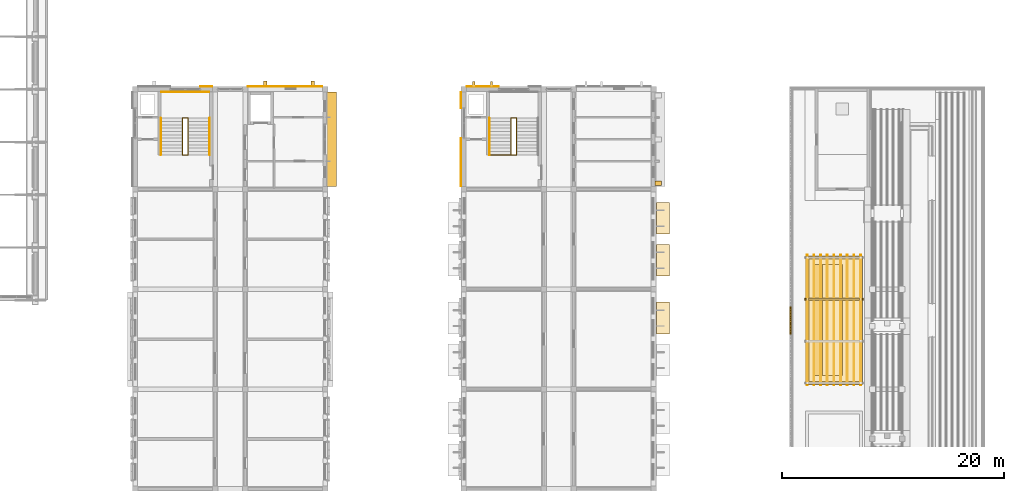
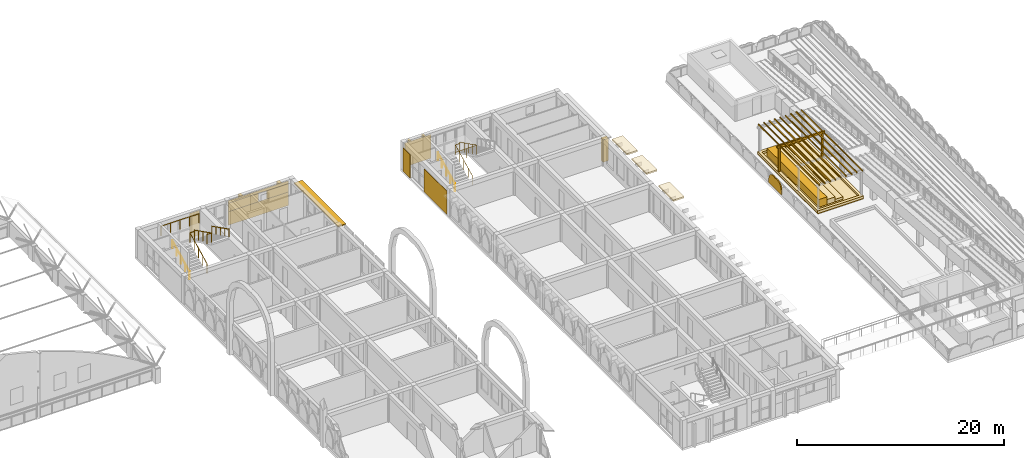
# One storey, part 60 of 65: 34 coverings, 6 railings, 2 shading devices.
"""IFC4 building model written with IfcOpenShell, lengths in metres."""

from ifc_helpers import new_model, si_unit, direction, frame, origin, origin_2d, place, context, subcontext, project, spatial, polyline, rectangle, circle, outline, extrude, material, layer, layer_set, type_object, element, save


model = new_model("IFC4")

# Units and contexts
model_context = context("Model", 3, precision=1e-05, world=origin(), true_north=direction((0.0, 1.0)))
body_context = subcontext(model_context, "Body", "Model", "MODEL_VIEW")
ifc_project = project(units=[si_unit("LENGTHUNIT", "METRE"), si_unit("AREAUNIT", "SQUARE_METRE"), si_unit("VOLUMEUNIT", "CUBIC_METRE"), si_unit("PLANEANGLEUNIT", "RADIAN"), si_unit("MASSUNIT", "GRAM", prefix="KILO")], contexts=[model_context])

# Site, building, storey
site_placement = place(None, origin())
site = spatial("IfcSite", under=ifc_project, at=site_placement, CompositionType="ELEMENT")
building_placement = place(site_placement, origin())
building = spatial("IfcBuilding", under=site, at=building_placement, Name="Elbe Cascade School", CompositionType="ELEMENT")
storey_placement = place(building_placement, frame((0.0, 0.0, 11.699951171875)))
storey = spatial("IfcBuildingStorey", under=building, at=storey_placement, Name="L03", CompositionType="ELEMENT", Elevation=11.699951171875)

# Railings
ifc_material_1 = material(Name="Steel S355J2H, painted", Category="steel")
railing_type_1 = type_object("IfcRailingType", Name="Bar stair guard 1100", PredefinedType="GUARDRAIL", material=ifc_material_1)
railing_1_placement = place(storey_placement, frame((73.25, 54.10009765625, 0.150146484375)))
element("IfcRailing", 1, at=railing_1_placement, inside=storey, type_object=railing_type_1, Name="Stair guard A3.N", PredefinedType="GUARDRAIL", context=body_context, shape_type="SweptSolid", body=[
    extrude(circle(Radius=0.02392578125, at=origin_2d()), frame((0.0, 0.0, 1.09619140625), z_axis=(0.0, 0.894427191, 0.4472135955), x_axis=(-1.0, 0.0, 0.0)), (0.0, 0.0, 1.0), 3.689208984375),
    extrude(circle(Radius=0.02392578125, at=origin_2d()), frame((0.0, 3.2998046875, 2.74609375), z_axis=(1.0, 0.0, 0.0), x_axis=(0.0, 1.0, 0.0)), (0.0, 0.0, 1.0), 0.5),
    extrude(circle(Radius=0.02392578125, at=origin_2d()), frame((0.5, 3.2998046875, 2.74609375), z_axis=(0.0, 0.0, 1.0), x_axis=(1.0, 0.0, 0.0)), (0.0, 0.0, 1.0), 0.14990234375),
    extrude(circle(Radius=0.02392578125, at=origin_2d()), frame((0.5, 3.2998046875, 2.89599609375), z_axis=(0.0, -0.894400720042, 0.447266533499), x_axis=(1.0, 0.0, 0.0)), (0.0, 0.0, 1.0), 3.689453125),
    extrude(circle(Radius=0.02392578125, at=origin_2d()), frame((0.5, 0.0, 4.5458984375), z_axis=(-1.0, 0.0, 0.0), x_axis=(0.0, -1.0, 0.0)), (0.0, 0.0, 1.0), 0.5),
    extrude(circle(Radius=0.02099609375, at=origin_2d()), origin(), (0.0, 0.0, 1.0), 1.072021484375),
    extrude(circle(Radius=0.02099609375, at=origin_2d()), frame((0.0, 0.824951171875, 0.41259765625)), (0.0, 0.0, 1.0), 1.072021484375),
    extrude(circle(Radius=0.02099609375, at=origin_2d()), frame((0.0, 1.64990234375, 0.824951171875)), (0.0, 0.0, 1.0), 1.072021484375),
    extrude(circle(Radius=0.02099609375, at=origin_2d()), frame((0.0, 2.474853515625, 1.2373046875)), (0.0, 0.0, 1.0), 1.072021484375),
    extrude(circle(Radius=0.02099609375, at=origin_2d()), frame((0.0, 3.2998046875, 1.64990234375)), (0.0, 0.0, 1.0), 1.072021484375),
    extrude(circle(Radius=0.02099609375, at=origin_2d()), frame((0.5, 3.2998046875, 1.64990234375)), (0.0, 0.0, 1.0), 1.072021484375),
    extrude(circle(Radius=0.02099609375, at=origin_2d()), frame((0.5, 3.2998046875, 1.7998046875)), (0.0, 0.0, 1.0), 1.072021484375),
    extrude(circle(Radius=0.02099609375, at=origin_2d()), frame((0.5, 2.474853515625, 2.21240234375)), (0.0, 0.0, 1.0), 1.072021484375),
    extrude(circle(Radius=0.02099609375, at=origin_2d()), frame((0.5, 1.64990234375, 2.625)), (0.0, 0.0, 1.0), 1.072021484375),
    extrude(circle(Radius=0.02099609375, at=origin_2d()), frame((0.5, 0.824951171875, 3.037353515625)), (0.0, 0.0, 1.0), 1.072021484375),
    extrude(circle(Radius=0.02099609375, at=origin_2d()), frame((0.5, 0.0, 3.449951171875)), (0.0, 0.0, 1.0), 1.072021484375),
    extrude(circle(Radius=0.02099609375, at=origin_2d()), frame((0.0, 0.0, 3.449951171875)), (0.0, 0.0, 1.0), 1.072021484375),
])
railing_2_placement = place(storey_placement, frame((71.360107421875, 59.760009765625, 1.800048828125)))
element("IfcRailing", 2, at=railing_2_placement, inside=storey, type_object=railing_type_1, Name="Stair guard A3.N", PredefinedType="GUARDRAIL", context=body_context, shape_type="SweptSolid", body=[
    extrude(circle(Radius=0.02392578125, at=origin_2d()), frame((0.0, 0.0, 1.09619140625), z_axis=(1.0, 0.0, 0.0), x_axis=(0.0, 1.0, 0.0)), (0.0, 0.0, 1.0), 4.27978515625),
    extrude(circle(Radius=0.02099609375, at=origin_2d()), origin(), (0.0, 0.0, 1.0), 1.072021484375),
    extrude(circle(Radius=0.02099609375, at=origin_2d()), frame((1.06982421875, 0.0, 0.0)), (0.0, 0.0, 1.0), 1.072021484375),
    extrude(circle(Radius=0.02099609375, at=origin_2d()), frame((2.139892578125, 0.0, 0.0)), (0.0, 0.0, 1.0), 1.072021484375),
    extrude(circle(Radius=0.02099609375, at=origin_2d()), frame((3.2099609375, 0.0, 0.0)), (0.0, 0.0, 1.0), 1.072021484375),
    extrude(circle(Radius=0.02099609375, at=origin_2d()), frame((4.27978515625, 0.0, 0.0)), (0.0, 0.0, 1.0), 1.072021484375),
])
railing_3_placement = place(storey_placement, frame((102.85009765625, 54.10009765625, 0.150146484375)))
element("IfcRailing", 3, at=railing_3_placement, inside=storey, type_object=railing_type_1, Name="Stair guard B3.N", PredefinedType="GUARDRAIL", context=body_context, shape_type="SweptSolid", body=[
    extrude(circle(Radius=0.02392578125, at=origin_2d()), frame((0.0, 0.0, 1.09619140625), z_axis=(0.0, 0.894427191, 0.4472135955), x_axis=(-1.0, 0.0, 0.0)), (0.0, 0.0, 1.0), 3.689208984375),
    extrude(circle(Radius=0.02392578125, at=origin_2d()), frame((0.0, 3.2998046875, 2.74609375), z_axis=(1.0, 0.0, 0.0), x_axis=(0.0, 1.0, 0.0)), (0.0, 0.0, 1.0), 0.5),
    extrude(circle(Radius=0.02392578125, at=origin_2d()), frame((0.5, 3.2998046875, 2.74609375), z_axis=(0.0, 0.0, 1.0), x_axis=(1.0, 0.0, 0.0)), (0.0, 0.0, 1.0), 0.14990234375),
    extrude(circle(Radius=0.02392578125, at=origin_2d()), frame((0.5, 3.2998046875, 2.89599609375), z_axis=(0.0, -0.894400720042, 0.447266533499), x_axis=(1.0, 0.0, 0.0)), (0.0, 0.0, 1.0), 3.689453125),
    extrude(circle(Radius=0.02392578125, at=origin_2d()), frame((0.5, 0.0, 4.5458984375), z_axis=(-1.0, 0.0, 0.0), x_axis=(0.0, -1.0, 0.0)), (0.0, 0.0, 1.0), 2.39013671875),
    extrude(circle(Radius=0.02099609375, at=origin_2d()), origin(), (0.0, 0.0, 1.0), 1.072021484375),
    extrude(circle(Radius=0.02099609375, at=origin_2d()), frame((0.0, 0.824951171875, 0.41259765625)), (0.0, 0.0, 1.0), 1.072021484375),
    extrude(circle(Radius=0.02099609375, at=origin_2d()), frame((0.0, 1.64990234375, 0.824951171875)), (0.0, 0.0, 1.0), 1.072021484375),
    extrude(circle(Radius=0.02099609375, at=origin_2d()), frame((0.0, 2.474853515625, 1.2373046875)), (0.0, 0.0, 1.0), 1.072021484375),
    extrude(circle(Radius=0.02099609375, at=origin_2d()), frame((0.0, 3.2998046875, 1.64990234375)), (0.0, 0.0, 1.0), 1.072021484375),
    extrude(circle(Radius=0.02099609375, at=origin_2d()), frame((0.5, 3.2998046875, 1.64990234375)), (0.0, 0.0, 1.0), 1.072021484375),
    extrude(circle(Radius=0.02099609375, at=origin_2d()), frame((0.5, 3.2998046875, 1.7998046875)), (0.0, 0.0, 1.0), 1.072021484375),
    extrude(circle(Radius=0.02099609375, at=origin_2d()), frame((0.5, 2.474853515625, 2.21240234375)), (0.0, 0.0, 1.0), 1.072021484375),
    extrude(circle(Radius=0.02099609375, at=origin_2d()), frame((0.5, 1.64990234375, 2.625)), (0.0, 0.0, 1.0), 1.072021484375),
    extrude(circle(Radius=0.02099609375, at=origin_2d()), frame((0.5, 0.824951171875, 3.037353515625)), (0.0, 0.0, 1.0), 1.072021484375),
    extrude(circle(Radius=0.02099609375, at=origin_2d()), frame((0.5, 0.0, 3.449951171875)), (0.0, 0.0, 1.0), 1.072021484375),
    extrude(circle(Radius=0.02099609375, at=origin_2d()), frame((-0.695068359375, 0.0, 3.449951171875)), (0.0, 0.0, 1.0), 1.072021484375),
    extrude(circle(Radius=0.02099609375, at=origin_2d()), frame((-1.89013671875, 0.0, 3.449951171875)), (0.0, 0.0, 1.0), 1.072021484375),
])
ifc_material_2 = material(Name="Steel S355J2H, painted", Category="steel")
railing_type_2 = type_object("IfcRailingType", Name="Bar stair handrail 900", PredefinedType="HANDRAIL", material=ifc_material_2)
railing_4_placement = place(storey_placement, frame((71.300048828125, 54.10009765625, 0.150146484375)))
element("IfcRailing", 4, at=railing_4_placement, inside=storey, type_object=railing_type_2, Name="Stair handrail A3.N", PredefinedType="HANDRAIL", context=body_context, shape_type="SweptSolid", body=[
    extrude(circle(Radius=0.02392578125, at=origin_2d()), frame((0.0, 0.0, 0.8759765625), z_axis=(0.0, 0.894427191, 0.4472135955), x_axis=(-1.0, 0.0, 0.0)), (0.0, 0.0, 1.0), 3.689208984375),
    extrude(circle(Radius=0.02099609375, at=origin_2d()), origin(), (0.0, 0.0, 1.0), 0.851806640625),
    extrude(circle(Radius=0.02099609375, at=origin_2d()), frame((0.0, 0.824951171875, 0.41259765625)), (0.0, 0.0, 1.0), 0.851806640625),
    extrude(circle(Radius=0.02099609375, at=origin_2d()), frame((0.0, 1.64990234375, 0.824951171875)), (0.0, 0.0, 1.0), 0.851806640625),
    extrude(circle(Radius=0.02099609375, at=origin_2d()), frame((0.0, 2.474853515625, 1.2373046875)), (0.0, 0.0, 1.0), 0.851806640625),
    extrude(circle(Radius=0.02099609375, at=origin_2d()), frame((0.0, 3.2998046875, 1.64990234375)), (0.0, 0.0, 1.0), 0.851806640625),
])
railing_5_placement = place(storey_placement, frame((75.699951171875, 57.39990234375, 1.949951171875)))
element("IfcRailing", 5, at=railing_5_placement, inside=storey, type_object=railing_type_2, Name="Stair handrail A3.N", PredefinedType="HANDRAIL", context=body_context, shape_type="SweptSolid", body=[
    extrude(circle(Radius=0.02392578125, at=origin_2d()), frame((0.0, 0.0, 0.8759765625), z_axis=(0.0, -0.894400720042, 0.447266533499), x_axis=(1.0, 0.0, 0.0)), (0.0, 0.0, 1.0), 3.689453125),
    extrude(circle(Radius=0.02099609375, at=origin_2d()), origin(), (0.0, 0.0, 1.0), 0.851806640625),
    extrude(circle(Radius=0.02099609375, at=origin_2d()), frame((0.0, -0.824951171875, 0.41259765625)), (0.0, 0.0, 1.0), 0.851806640625),
    extrude(circle(Radius=0.02099609375, at=origin_2d()), frame((0.0, -1.64990234375, 0.8251953125)), (0.0, 0.0, 1.0), 0.851806640625),
    extrude(circle(Radius=0.02099609375, at=origin_2d()), frame((0.0, -2.474853515625, 1.237548828125)), (0.0, 0.0, 1.0), 0.851806640625),
    extrude(circle(Radius=0.02099609375, at=origin_2d()), frame((0.0, -3.2998046875, 1.650146484375)), (0.0, 0.0, 1.0), 0.851806640625),
])
railing_6_placement = place(storey_placement, frame((100.89990234375, 54.10009765625, 0.150146484375)))
element("IfcRailing", 6, at=railing_6_placement, inside=storey, type_object=railing_type_2, Name="Stair handrail B3.N", PredefinedType="HANDRAIL", context=body_context, shape_type="SweptSolid", body=[
    extrude(circle(Radius=0.02392578125, at=origin_2d()), frame((0.0, 0.0, 0.8759765625), z_axis=(0.0, 0.894427191, 0.4472135955), x_axis=(-1.0, 0.0, 0.0)), (0.0, 0.0, 1.0), 3.689208984375),
    extrude(circle(Radius=0.02099609375, at=origin_2d()), origin(), (0.0, 0.0, 1.0), 0.851806640625),
    extrude(circle(Radius=0.02099609375, at=origin_2d()), frame((0.0, 0.824951171875, 0.41259765625)), (0.0, 0.0, 1.0), 0.851806640625),
    extrude(circle(Radius=0.02099609375, at=origin_2d()), frame((0.0, 1.64990234375, 0.824951171875)), (0.0, 0.0, 1.0), 0.851806640625),
    extrude(circle(Radius=0.02099609375, at=origin_2d()), frame((0.0, 2.474853515625, 1.2373046875)), (0.0, 0.0, 1.0), 0.851806640625),
    extrude(circle(Radius=0.02099609375, at=origin_2d()), frame((0.0, 3.2998046875, 1.64990234375)), (0.0, 0.0, 1.0), 0.851806640625),
])

# Shading devices
ifc_material_3 = material(Name="Precast concrete C40/50", Category="concrete")
ifc_layer_1 = layer(ifc_material_3, 0.1201171875)
ifc_layer_set_1 = layer_set([ifc_layer_1], Name="Precast concrete C40/50")
shading_device_type_1 = type_object("IfcShadingDeviceType", Name="Bars envelope Attic jali screen, pointed arch top, pierced precast concrete, 1200 high", PredefinedType="USERDEFINED", material=ifc_layer_set_1)
shading_device_1_placement = place(storey_placement, frame((127.97998046875, 37.95458984375, 0.400146484375), z_axis=(-1.0, 0.0, 0.0), x_axis=(0.0, 0.296914729778, 0.954903996871)))
element("IfcShadingDevice", 7, at=shading_device_1_placement, inside=storey, type_object=shading_device_type_1, Name="Attic jali screen SD1 C.L03.w14", ObjectType="JALI", PredefinedType="USERDEFINED", context=body_context, shape_type="SweptSolid", body=[
    extrude(outline(polyline([(0.0, 0.0), (0.5213118135497831, 2.7755575615628914e-17), (0.7306945382777837, 0.09699021202207464), (0.8771319311807609, 0.21355243992304318), (0.9847089596433677, 0.3424534529484574), (1.0619064875388193, 0.48054489831620933), (1.1125270975525943, 0.6269000837217165), (1.1363376588260814, 0.7815914981126785), (1.1314731244903915, 0.9451990530706923), (1.2282536445091836, 1.0772014268316772), (1.2963590689187985, 1.218119941159714), (1.337726933535825, 1.3676078153318163), (1.3524453913234755, 1.5251262986830632), (1.3368568374916705, 1.692068345235259), (1.2824079192194948, 1.8713491769119002), (1.1649411801745964, 2.069968893608824), (0.7355453523079154, 2.365578822327823), (0.3534438750441624, 2.4843882076074792), (-0.382101477263753, 0.11880938527965638), (0.0, 0.0)])), origin(), (0.0, 0.0, -1.0), 0.1201171875),
])
ifc_material_4 = material(Name="Precast concrete C30/37", Category="concrete")
ifc_layer_2 = layer(ifc_material_4, 0.1201171875)
ifc_layer_set_2 = layer_set([ifc_layer_2], Name="Precast concrete C30/37")
shading_device_type_2 = type_object("IfcShadingDeviceType", Name="Bars envelope Chhajja eave, precast concrete, 900 x 120", PredefinedType="USERDEFINED", material=ifc_layer_set_2)
shading_device_2_placement = place(storey_placement, frame((86.669921875, 55.5, 2.72998046875), z_axis=(0.0, 0.0, 1.0), x_axis=(0.0, 1.0, 0.0)))
element("IfcShadingDevice", 8, at=shading_device_2_placement, inside=storey, type_object=shading_device_type_2, Name="Chhajja eave SD2 A.L03.e6", ObjectType="CHHAJJA", PredefinedType="USERDEFINED", context=body_context, shape_type="SweptSolid", body=[
    extrude(rectangle(XDim=8.5, YDim=0.89990234375, at=origin_2d()), origin(), (0.0, 0.0, 1.0), 0.1201171875),
])

# Coverings
ifc_material_5 = material(Name="Precast concrete C40/50", Category="concrete")
covering_type_1 = type_object("IfcCoveringType", Name="Bars envelope Precast concrete fin, 450 wide, 600 deep", PredefinedType="CLADDING", material=ifc_material_5)
covering_1_placement = place(storey_placement, frame((116.1201171875, 51.5400390625, 0.0), z_axis=(0.0, 0.0, 1.0), x_axis=(0.0, 1.0, 0.0)))
element("IfcCovering", 9, at=covering_1_placement, inside=storey, type_object=covering_type_1, Name="Fin CV55 B.L03.e6.1", PredefinedType="CLADDING", context=body_context, shape_type="SweptSolid", body=[
    extrude(rectangle(XDim=0.449951171875, YDim=0.60009765625, at=origin_2d()), origin(), (0.0, 0.0, 1.0), 2.6298828125),
])
ifc_material_6 = material(Name="Precast concrete C40/50", Category="concrete")
covering_type_2 = type_object("IfcCoveringType", Name="Bars envelope Precast concrete gable fin, 200 wide, 450 deep", PredefinedType="CLADDING", material=ifc_material_6)
for number, where, z_axis, x_axis, name in (
    (10, (99.5, 60.485107421875, 0.0), (0.0, 0.0, 1.0), (1.0, 0.0, 0.0), "Fin CV57 B.L03.n.1"),
    (11, (101.10009765625, 60.485107421875, 0.0), (0.0, 0.0, 1.0), (1.0, 0.0, 0.0), "Fin CV57 B.L03.n.2"),
):
    element("IfcCovering", number, at=place(storey_placement, frame(where, z_axis=z_axis, x_axis=x_axis)), inside=storey, type_object=covering_type_2, Name=name, PredefinedType="CLADDING", context=body_context, shape_type="SweptSolid", body=[
        extrude(rectangle(XDim=0.199951171875, YDim=0.449951171875, at=origin_2d()), origin(), (0.0, 0.0, 1.0), 2.800048828125),
    ])
ifc_material_7 = material(Name="Precast concrete C40/50", Category="concrete")
covering_type_3 = type_object("IfcCoveringType", Name="Bars envelope Precast concrete gable fin, 300 wide, 500 deep", PredefinedType="CLADDING", material=ifc_material_7)
for number, where, z_axis, x_axis, name in (
    (12, (80.699951171875, 60.510009765625, 0.0), (0.0, 0.0, 1.0), (1.0, 0.0, 0.0), "Fin CV50 A.L03.n.2"),
    (13, (85.0, 60.510009765625, 0.0), (0.0, 0.0, 1.0), (1.0, 0.0, 0.0), "Fin CV50 A.L03.n.3"),
):
    element("IfcCovering", number, at=place(storey_placement, frame(where, z_axis=z_axis, x_axis=x_axis)), inside=storey, type_object=covering_type_3, Name=name, PredefinedType="CLADDING", context=body_context, shape_type="SweptSolid", body=[
        extrude(rectangle(XDim=0.300048828125, YDim=0.5, at=origin_2d()), origin(), (0.0, 0.0, 1.0), 2.89990234375),
    ])
ifc_material_8 = material(Name="Bituminous waterproofing membrane", Category="membrane")
ifc_layer_3 = layer(ifc_material_8, 0.06005859375)
ifc_layer_set_3 = layer_set([ifc_layer_3], Name="Bituminous waterproofing membrane")
covering_type_4 = type_object("IfcCoveringType", Name="Bars envelope Roof covering, bituminous waterproofing membrane", PredefinedType="ROOFING", material=ifc_layer_set_3)
covering_2_placement = place(storey_placement, origin())
element("IfcCovering", 14, at=covering_2_placement, inside=storey, type_object=covering_type_4, Name="Roof covering CV49 C.L03.2", PredefinedType="ROOFING", context=body_context, shape_type="SweptSolid", body=[
    extrude(outline(polyline([(134.5, 45.0), (134.5, 33.39990234375), (129.39990234375, 33.39990234375), (129.39990234375, 45.0), (134.5, 45.0)])), origin(), (0.0, 0.0, 1.0), 0.06005859375),
])
ifc_material_9 = material(Name="Sandstone - red", Category="masonry")
covering_type_5 = type_object("IfcCoveringType", Name="Bars envelope Sandstone chhajja slab, 1200 deep", PredefinedType="CLADDING", material=ifc_material_9)
for number, where, z_axis, x_axis, name in (
    (15, (116.550048828125, 39.392578125, 3.419921875), (0.0, 0.0, 1.0), (0.0, 1.0, 0.0), "Chhajja slab CV61 B.L03.e3.2"),
    (16, (116.550048828125, 44.607421875, 3.419921875), (0.0, 0.0, 1.0), (0.0, 1.0, 0.0), "Chhajja slab CV61 B.L03.e4.1"),
    (17, (116.550048828125, 48.392578125, 3.419921875), (0.0, 0.0, 1.0), (0.0, 1.0, 0.0), "Chhajja slab CV61 B.L03.e4.2"),
):
    element("IfcCovering", number, at=place(storey_placement, frame(where, z_axis=z_axis, x_axis=x_axis)), inside=storey, type_object=covering_type_5, Name=name, PredefinedType="CLADDING", context=body_context, shape_type="SweptSolid", body=[
        extrude(rectangle(XDim=2.85498046875, YDim=1.199951171875, at=origin_2d()), origin(), (0.0, 0.0, 1.0), 0.179931640625),
    ])
ifc_material_10 = material(Name="Sandstone - red", Category="masonry")
ifc_layer_4 = layer(ifc_material_10, 0.0400390625)
ifc_layer_set_4 = layer_set([ifc_layer_4], Name="Sandstone - red")
covering_type_6 = type_object("IfcCoveringType", Name="Bars envelope Sandstone cladding, red, 40 mm", PredefinedType="CLADDING", material=ifc_layer_set_4)
covering_3_placement = place(storey_placement, frame((75.39990234375, 60.239990234375, 0.0), z_axis=(0.0, 0.0, 1.0), x_axis=(1.0, 0.0, 0.0)))
element("IfcCovering", 18, at=covering_3_placement, inside=storey, type_object=covering_type_6, Name="Sandstone cladding CV48 A.L03.n.1b.1", PredefinedType="CLADDING", context=body_context, shape_type="SweptSolid", body=[
    extrude(rectangle(XDim=1.10009765625, YDim=0.0400390625, at=origin_2d()), origin(), (0.0, 0.0, 1.0), 2.89990234375),
])
covering_4_placement = place(storey_placement, frame((82.5, 60.239990234375, 0.0), z_axis=(0.0, 0.0, 1.0), x_axis=(1.0, 0.0, 0.0)))
element("IfcCovering", 19, at=covering_4_placement, inside=storey, type_object=covering_type_6, Name="Sandstone cladding CV48 A.L03.n.3.1", PredefinedType="CLADDING", context=body_context, shape_type="SweptSolid", body=[
    extrude(rectangle(XDim=6.699951171875, YDim=0.0400390625, at=origin_2d()), origin(), (0.0, 0.0, 1.0), 1.60009765625),
])
covering_5_placement = place(storey_placement, frame((80.85009765625, 60.239990234375, 1.60009765625), z_axis=(0.0, 0.0, 1.0), x_axis=(1.0, 0.0, 0.0)))
element("IfcCovering", 20, at=covering_5_placement, inside=storey, type_object=covering_type_6, Name="Sandstone cladding CV48 A.L03.n.3.2", PredefinedType="CLADDING", context=body_context, shape_type="SweptSolid", body=[
    extrude(rectangle(XDim=3.39990234375, YDim=0.0400390625, at=origin_2d()), origin(), (0.0, 0.0, 1.0), 1.0),
])
covering_6_placement = place(storey_placement, frame((84.64990234375, 60.239990234375, 1.60009765625), z_axis=(0.0, 0.0, 1.0), x_axis=(1.0, 0.0, 0.0)))
element("IfcCovering", 21, at=covering_6_placement, inside=storey, type_object=covering_type_6, Name="Sandstone cladding CV48 A.L03.n.3.3", PredefinedType="CLADDING", context=body_context, shape_type="SweptSolid", body=[
    extrude(rectangle(XDim=2.39990234375, YDim=0.0400390625, at=origin_2d()), origin(), (0.0, 0.0, 1.0), 1.0),
])
covering_7_placement = place(storey_placement, frame((82.5, 60.239990234375, 2.60009765625), z_axis=(0.0, 0.0, 1.0), x_axis=(1.0, 0.0, 0.0)))
element("IfcCovering", 22, at=covering_7_placement, inside=storey, type_object=covering_type_6, Name="Sandstone cladding CV48 A.L03.n.3.4", PredefinedType="CLADDING", context=body_context, shape_type="SweptSolid", body=[
    extrude(rectangle(XDim=6.699951171875, YDim=0.0400390625, at=origin_2d()), origin(), (0.0, 0.0, 1.0), 0.300048828125),
])
covering_8_placement = place(storey_placement, frame((98.360107421875, 53.429931640625, 0.0), z_axis=(0.0, 0.0, 1.0), x_axis=(0.0, 1.0, 0.0)))
element("IfcCovering", 23, at=covering_8_placement, inside=storey, type_object=covering_type_6, Name="Sandstone cladding CV48 B.L03.w.6a.1", PredefinedType="CLADDING", context=body_context, shape_type="SweptSolid", body=[
    extrude(rectangle(XDim=4.360107421875, YDim=0.0400390625, at=origin_2d()), origin(), (0.0, 0.0, 1.0), 2.75),
])
covering_9_placement = place(storey_placement, frame((98.360107421875, 59.030029296875, 0.0), z_axis=(0.0, 0.0, 1.0), x_axis=(0.0, 1.0, 0.0)))
element("IfcCovering", 24, at=covering_9_placement, inside=storey, type_object=covering_type_6, Name="Sandstone cladding CV48 B.L03.w.6b.1", PredefinedType="CLADDING", context=body_context, shape_type="SweptSolid", body=[
    extrude(rectangle(XDim=1.43994140625, YDim=0.0400390625, at=origin_2d()), origin(), (0.0, 0.0, 1.0), 2.75),
])
covering_10_placement = place(storey_placement, frame((100.300048828125, 60.239990234375, 0.0), z_axis=(0.0, 0.0, 1.0), x_axis=(1.0, 0.0, 0.0)))
element("IfcCovering", 25, at=covering_10_placement, inside=storey, type_object=covering_type_6, Name="Sandstone cladding CV48 B.L03.n.1a.1", PredefinedType="CLADDING", context=body_context, shape_type="SweptSolid", body=[
    extrude(rectangle(XDim=2.89990234375, YDim=0.0400390625, at=origin_2d()), origin(), (0.0, 0.0, 1.0), 2.800048828125),
])
ifc_material_11 = material(Name="Concrete C30/37 precast kerb", Category="concrete")
ifc_layer_5 = layer(ifc_material_11, 0.300048828125)
ifc_layer_set_5 = layer_set([ifc_layer_5], Name="Concrete C30/37 precast kerb")
covering_type_7 = type_object("IfcCoveringType", Name="Court kerb 300x300", PredefinedType="CLADDING", material=ifc_layer_set_5)
covering_11_placement = place(storey_placement, frame((0.0, 0.0, 0.06005859375)))
element("IfcCovering", 26, at=covering_11_placement, inside=storey, type_object=covering_type_7, Name="Court kerb C.w2", PredefinedType="CLADDING", context=body_context, shape_type="SweptSolid", body=[
    extrude(outline(polyline([(134.5, 33.39990234375), (129.39990234375, 33.39990234375), (129.39990234375, 45.0), (134.5, 45.0), (134.5, 42.89990234375), (134.5, 41.10009765625), (134.5, 39.570068359375), (134.5, 37.77001953125), (134.5, 33.89990234375), (134.5, 33.39990234375)]), holes=[polyline([(134.199951171875, 33.699951171875), (129.699951171875, 33.699951171875), (129.699951171875, 44.699951171875), (134.199951171875, 44.699951171875), (134.199951171875, 33.699951171875)])]), origin(), (0.0, 0.0, 1.0), 0.300048828125),
])
ifc_material_12 = material(Name="Concrete paving slabs", Category="concrete")
ifc_layer_6 = layer(ifc_material_12, 0.050048828125)
ifc_layer_set_6 = layer_set([ifc_layer_6], Name="Concrete paving slabs")
covering_type_8 = type_object("IfcCoveringType", Name="Court paving 50", PredefinedType="FLOORING", material=ifc_layer_set_6)
covering_12_placement = place(storey_placement, frame((0.0, 0.0, 0.06005859375)))
element("IfcCovering", 27, at=covering_12_placement, inside=storey, type_object=covering_type_8, Name="Court paving C.w2", PredefinedType="FLOORING", context=body_context, shape_type="SweptSolid", body=[
    extrude(outline(polyline([(134.199951171875, 33.699951171875), (129.699951171875, 33.699951171875), (129.699951171875, 44.699951171875), (134.199951171875, 44.699951171875), (134.199951171875, 33.699951171875)])), origin(), (0.0, 0.0, 1.0), 0.050048828125),
])
ifc_material_13 = material(Name="Concrete C30/37 precast, exposed aggregate", Category="concrete")
covering_type_9 = type_object("IfcCoveringType", Name="Court seating step 900x300", PredefinedType="USERDEFINED", material=ifc_material_13)
covering_13_placement = place(storey_placement, frame((0.0, 0.0, 0.110107421875)))
element("IfcCovering", 28, at=covering_13_placement, inside=storey, type_object=covering_type_9, Name="Court seating step C.w2.3", ObjectType="SEATING STEP", PredefinedType="USERDEFINED", context=body_context, shape_type="SweptSolid", body=[
    extrude(outline(polyline([(131.800048828125, 34.199951171875), (132.699951171875, 34.199951171875), (132.699951171875, 44.199951171875), (131.800048828125, 44.199951171875), (131.800048828125, 34.199951171875)])), origin(), (0.0, 0.0, 1.0), 0.300048828125),
])
ifc_material_14 = material(Name="Concrete C30/37 precast, exposed aggregate", Category="concrete")
covering_type_10 = type_object("IfcCoveringType", Name="Court seating step 900x600", PredefinedType="USERDEFINED", material=ifc_material_14)
covering_14_placement = place(storey_placement, frame((0.0, 0.0, 0.110107421875)))
element("IfcCovering", 29, at=covering_14_placement, inside=storey, type_object=covering_type_10, Name="Court seating step C.w2.2", ObjectType="SEATING STEP", PredefinedType="USERDEFINED", context=body_context, shape_type="SweptSolid", body=[
    extrude(outline(polyline([(130.89990234375, 34.199951171875), (131.800048828125, 34.199951171875), (131.800048828125, 44.199951171875), (130.89990234375, 44.199951171875), (130.89990234375, 34.199951171875)])), origin(), (0.0, 0.0, 1.0), 0.599853515625),
])
ifc_material_15 = material(Name="Concrete C30/37 precast, exposed aggregate", Category="concrete")
covering_type_11 = type_object("IfcCoveringType", Name="Court seating step 900x900", PredefinedType="USERDEFINED", material=ifc_material_15)
covering_15_placement = place(storey_placement, frame((0.0, 0.0, 0.110107421875)))
element("IfcCovering", 30, at=covering_15_placement, inside=storey, type_object=covering_type_11, Name="Court seating step C.w2.1", ObjectType="SEATING STEP", PredefinedType="USERDEFINED", context=body_context, shape_type="SweptSolid", body=[
    extrude(outline(polyline([(130.0, 34.199951171875), (130.89990234375, 34.199951171875), (130.89990234375, 44.199951171875), (130.0, 44.199951171875), (130.0, 34.199951171875)])), origin(), (0.0, 0.0, 1.0), 0.89990234375),
])
ifc_material_16 = material(Name="Steel S355J2H, hot-dip galvanised", Category="steel")
covering_type_12 = type_object("IfcCoveringType", Name="Pergola beam 160x220", PredefinedType="USERDEFINED", material=ifc_material_16)
covering_16_placement = place(storey_placement, frame((0.0, 0.0, 3.16015625)))
element("IfcCovering", 31, at=covering_16_placement, inside=storey, type_object=covering_type_12, Name="Pergola C.w2 beam 3", ObjectType="PERGOLA BEAM", PredefinedType="USERDEFINED", context=body_context, shape_type="SweptSolid", body=[
    extrude(outline(polyline([(129.300048828125, 41.00341796875), (134.60009765625, 41.00341796875), (134.60009765625, 41.163330078125), (129.300048828125, 41.163330078125), (129.300048828125, 41.00341796875)])), origin(), (0.0, 0.0, 1.0), 0.219970703125),
])
ifc_material_17 = material(Name="Steel S355J2H, hot-dip galvanised", Category="steel")
covering_type_13 = type_object("IfcCoveringType", Name="Pergola post 200x2800", PredefinedType="USERDEFINED", material=ifc_material_17)
covering_17_placement = place(storey_placement, frame((0.0, 0.0, 0.360107421875)))
element("IfcCovering", 32, at=covering_17_placement, inside=storey, type_object=covering_type_13, Name="Pergola C.w2 post 3w", ObjectType="PERGOLA POST", PredefinedType="USERDEFINED", context=body_context, shape_type="SweptSolid", body=[
    extrude(outline(polyline([(129.449951171875, 40.9833984375), (129.64990234375, 40.9833984375), (129.64990234375, 41.183349609375), (129.449951171875, 41.183349609375), (129.449951171875, 40.9833984375)])), origin(), (0.0, 0.0, 1.0), 2.800048828125),
])
covering_18_placement = place(storey_placement, frame((0.0, 0.0, 0.360107421875)))
element("IfcCovering", 33, at=covering_18_placement, inside=storey, type_object=covering_type_13, Name="Pergola C.w2 post 3e", ObjectType="PERGOLA POST", PredefinedType="USERDEFINED", context=body_context, shape_type="SweptSolid", body=[
    extrude(outline(polyline([(134.25, 40.9833984375), (134.449951171875, 40.9833984375), (134.449951171875, 41.183349609375), (134.25, 41.183349609375), (134.25, 40.9833984375)])), origin(), (0.0, 0.0, 1.0), 2.800048828125),
])
ifc_material_18 = material(Name="Steel S355J2H, hot-dip galvanised", Category="steel")
covering_type_14 = type_object("IfcCoveringType", Name="Pergola slat 80x100", PredefinedType="USERDEFINED", material=ifc_material_18)
covering_19_placement = place(storey_placement, frame((0.0, 0.0, 3.380126953125)))
element("IfcCovering", 34, at=covering_19_placement, inside=storey, type_object=covering_type_14, Name="Pergola C.w2 slat 1", ObjectType="PERGOLA SLAT", PredefinedType="USERDEFINED", context=body_context, shape_type="SweptSolid", body=[
    extrude(outline(polyline([(129.510009765625, 33.320068359375), (129.590087890625, 33.320068359375), (129.590087890625, 45.080078125), (129.510009765625, 45.080078125), (129.510009765625, 33.320068359375)])), origin(), (0.0, 0.0, 1.0), 0.099853515625),
])
covering_20_placement = place(storey_placement, frame((0.0, 0.0, 3.380126953125)))
element("IfcCovering", 35, at=covering_20_placement, inside=storey, type_object=covering_type_14, Name="Pergola C.w2 slat 2", ObjectType="PERGOLA SLAT", PredefinedType="USERDEFINED", context=body_context, shape_type="SweptSolid", body=[
    extrude(outline(polyline([(130.110107421875, 33.320068359375), (130.18994140625, 33.320068359375), (130.18994140625, 45.080078125), (130.110107421875, 45.080078125), (130.110107421875, 33.320068359375)])), origin(), (0.0, 0.0, 1.0), 0.099853515625),
])
covering_21_placement = place(storey_placement, frame((0.0, 0.0, 3.380126953125)))
element("IfcCovering", 36, at=covering_21_placement, inside=storey, type_object=covering_type_14, Name="Pergola C.w2 slat 3", ObjectType="PERGOLA SLAT", PredefinedType="USERDEFINED", context=body_context, shape_type="SweptSolid", body=[
    extrude(outline(polyline([(130.7099609375, 33.320068359375), (130.7900390625, 33.320068359375), (130.7900390625, 45.080078125), (130.7099609375, 45.080078125), (130.7099609375, 33.320068359375)])), origin(), (0.0, 0.0, 1.0), 0.099853515625),
])
covering_22_placement = place(storey_placement, frame((0.0, 0.0, 3.380126953125)))
element("IfcCovering", 37, at=covering_22_placement, inside=storey, type_object=covering_type_14, Name="Pergola C.w2 slat 4", ObjectType="PERGOLA SLAT", PredefinedType="USERDEFINED", context=body_context, shape_type="SweptSolid", body=[
    extrude(outline(polyline([(131.31005859375, 33.320068359375), (131.389892578125, 33.320068359375), (131.389892578125, 45.080078125), (131.31005859375, 45.080078125), (131.31005859375, 33.320068359375)])), origin(), (0.0, 0.0, 1.0), 0.099853515625),
])
covering_23_placement = place(storey_placement, frame((0.0, 0.0, 3.380126953125)))
element("IfcCovering", 38, at=covering_23_placement, inside=storey, type_object=covering_type_14, Name="Pergola C.w2 slat 5", ObjectType="PERGOLA SLAT", PredefinedType="USERDEFINED", context=body_context, shape_type="SweptSolid", body=[
    extrude(outline(polyline([(131.909912109375, 33.320068359375), (131.989990234375, 33.320068359375), (131.989990234375, 45.080078125), (131.909912109375, 45.080078125), (131.909912109375, 33.320068359375)])), origin(), (0.0, 0.0, 1.0), 0.099853515625),
])
covering_24_placement = place(storey_placement, frame((0.0, 0.0, 3.380126953125)))
element("IfcCovering", 39, at=covering_24_placement, inside=storey, type_object=covering_type_14, Name="Pergola C.w2 slat 6", ObjectType="PERGOLA SLAT", PredefinedType="USERDEFINED", context=body_context, shape_type="SweptSolid", body=[
    extrude(outline(polyline([(132.510009765625, 33.320068359375), (132.590087890625, 33.320068359375), (132.590087890625, 45.080078125), (132.510009765625, 45.080078125), (132.510009765625, 33.320068359375)])), origin(), (0.0, 0.0, 1.0), 0.099853515625),
])
covering_25_placement = place(storey_placement, frame((0.0, 0.0, 3.380126953125)))
element("IfcCovering", 40, at=covering_25_placement, inside=storey, type_object=covering_type_14, Name="Pergola C.w2 slat 7", ObjectType="PERGOLA SLAT", PredefinedType="USERDEFINED", context=body_context, shape_type="SweptSolid", body=[
    extrude(outline(polyline([(133.110107421875, 33.320068359375), (133.18994140625, 33.320068359375), (133.18994140625, 45.080078125), (133.110107421875, 45.080078125), (133.110107421875, 33.320068359375)])), origin(), (0.0, 0.0, 1.0), 0.099853515625),
])
covering_26_placement = place(storey_placement, frame((0.0, 0.0, 3.380126953125)))
element("IfcCovering", 41, at=covering_26_placement, inside=storey, type_object=covering_type_14, Name="Pergola C.w2 slat 8", ObjectType="PERGOLA SLAT", PredefinedType="USERDEFINED", context=body_context, shape_type="SweptSolid", body=[
    extrude(outline(polyline([(133.7099609375, 33.320068359375), (133.7900390625, 33.320068359375), (133.7900390625, 45.080078125), (133.7099609375, 45.080078125), (133.7099609375, 33.320068359375)])), origin(), (0.0, 0.0, 1.0), 0.099853515625),
])
covering_27_placement = place(storey_placement, frame((0.0, 0.0, 3.380126953125)))
element("IfcCovering", 42, at=covering_27_placement, inside=storey, type_object=covering_type_14, Name="Pergola C.w2 slat 9", ObjectType="PERGOLA SLAT", PredefinedType="USERDEFINED", context=body_context, shape_type="SweptSolid", body=[
    extrude(outline(polyline([(134.31005859375, 33.320068359375), (134.389892578125, 33.320068359375), (134.389892578125, 45.080078125), (134.31005859375, 45.080078125), (134.31005859375, 33.320068359375)])), origin(), (0.0, 0.0, 1.0), 0.099853515625),
])

save(model, "model.ifc")
